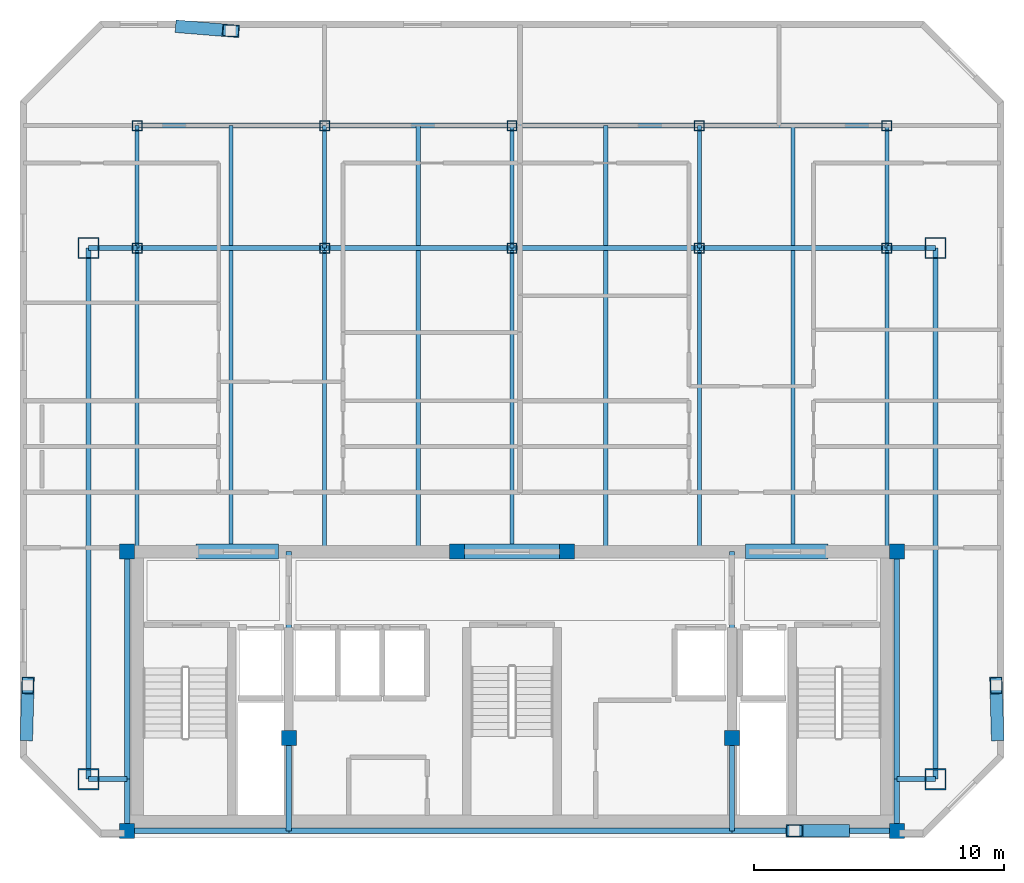
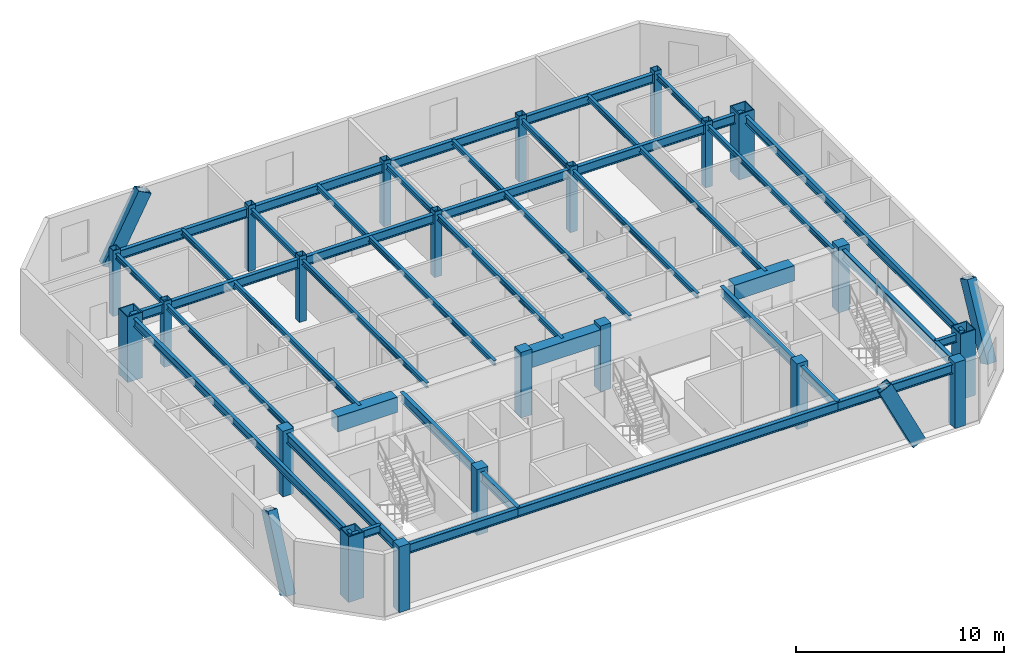
# One storey, part 1 of 7: 46 beams, 22 columns, 4 members.
"""IFC4 building model written with IfcOpenShell, lengths in metres."""

from ifc_helpers import new_model, si_unit, direction, frame, origin, origin_2d, place, context, subcontext, project, spatial, rectangle, hollow_rectangle, i_section, extrude, material, material_profile, profile_set, type_object, element, save


model = new_model("IFC4")

# Units and contexts
model_context = context("Model", 3, precision=1e-05, world=origin(), true_north=direction((0.0, 1.0)))
body_context = subcontext(model_context, "Body", "Model", "MODEL_VIEW")
ifc_project = project(units=[si_unit("LENGTHUNIT", "METRE"), si_unit("AREAUNIT", "SQUARE_METRE"), si_unit("VOLUMEUNIT", "CUBIC_METRE"), si_unit("PLANEANGLEUNIT", "RADIAN"), si_unit("MASSUNIT", "GRAM", prefix="KILO")], contexts=[model_context])

# Site, building, storey
site_placement = place(None, origin())
site = spatial("IfcSite", under=ifc_project, at=site_placement, CompositionType="ELEMENT")
building_placement = place(site_placement, origin())
building = spatial("IfcBuilding", under=site, at=building_placement, Name="Ventersveld Concourse Tower", CompositionType="ELEMENT")
storey_placement = place(building_placement, frame((0.0, 0.0, 320.75)))
storey = spatial("IfcBuildingStorey", under=building, at=storey_placement, Name="L79", CompositionType="ELEMENT", Elevation=320.75)

# Columns
ifc_material_1 = material(Name="Concrete C50/60", Category="concrete")
ifc_material_profile_1 = material_profile(ifc_material_1, rectangle(XDim=0.60009765625, YDim=0.60009765625, at=origin_2d()), Name="RC 600x600")
ifc_profile_set_1 = profile_set([ifc_material_profile_1], Name="Concrete C50/60")
column_type_1 = type_object("IfcColumnType", Name="COL-RC600", PredefinedType="COLUMN", material=ifc_profile_set_1)
for number, where, z_axis, x_axis, name in (
    (1, (13.35009765625, 0.280029296875, 0.0), (0.0, 0.0, 1.0), (1.0, 0.0, 0.0), "L79 Core Spine Column CC-SW"),
    (2, (44.14990234375, 0.280029296875, 0.0), (0.0, 0.0, 1.0), (1.0, 0.0, 0.0), "L79 Core Spine Column CC-SE"),
    (3, (13.35009765625, 11.449951171875, 0.0), (0.0, 0.0, 1.0), (1.0, 0.0, 0.0), "L79 Core Spine Column CC-NW"),
    (4, (44.14990234375, 11.449951171875, 0.0), (0.0, 0.0, 1.0), (1.0, 0.0, 0.0), "L79 Core Spine Column CC-NE"),
    (5, (19.820068359375, 4.0, 0.0), (0.0, 0.0, 1.0), (1.0, 0.0, 0.0), "L79 Core Spine Column CM-1"),
    (6, (37.550048828125, 4.0, 0.0), (0.0, 0.0, 1.0), (1.0, 0.0, 0.0), "L79 Core Spine Column CM-2"),
    (7, (26.550048828125, 11.449951171875, 0.0), (0.0, 0.0, 1.0), (1.0, 0.0, 0.0), "L79 Core Spine Column CM-3"),
    (8, (30.949951171875, 11.449951171875, 0.0), (0.0, 0.0, 1.0), (1.0, 0.0, 0.0), "L79 Core Spine Column CM-4"),
):
    element("IfcColumn", number, at=place(storey_placement, frame(where, z_axis=z_axis, x_axis=x_axis)), inside=storey, type_object=column_type_1, Name=name, PredefinedType="COLUMN", context=body_context, shape_type="SweptSolid", body=[
        extrude(rectangle(XDim=0.60009765625, YDim=0.60009765625, at=origin_2d()), origin(), (0.0, 0.0, 1.0), 3.85009765625),
    ])
ifc_material_2 = material(Name="Structural steel S355J2", Category="steel")
ifc_material_profile_2 = material_profile(ifc_material_2, hollow_rectangle(XDim=0.39990234375, YDim=0.39990234375, WallThickness=0.02001953125, at=origin_2d()), Name="SHS 400x400x20")
ifc_profile_set_2 = profile_set([ifc_material_profile_2], Name="Structural steel S355J2")
column_type_2 = type_object("IfcColumnType", Name="COL-SHS400", PredefinedType="COLUMN", material=ifc_profile_set_2)
for number, where, z_axis, x_axis, name in (
    (9, (13.75, 23.60009765625, 0.0), (0.0, 0.0, 1.0), (1.0, 0.0, 0.0), "L79 Interior Gravity Column X=13.75 Y=23.60"),
    (10, (21.25, 23.60009765625, 0.0), (0.0, 0.0, 1.0), (1.0, 0.0, 0.0), "L79 Interior Gravity Column X=21.25 Y=23.60"),
    (11, (28.75, 23.60009765625, 0.0), (0.0, 0.0, 1.0), (1.0, 0.0, 0.0), "L79 Interior Gravity Column X=28.75 Y=23.60"),
    (12, (36.25, 23.60009765625, 0.0), (0.0, 0.0, 1.0), (1.0, 0.0, 0.0), "L79 Interior Gravity Column X=36.25 Y=23.60"),
    (13, (43.75, 23.60009765625, 0.0), (0.0, 0.0, 1.0), (1.0, 0.0, 0.0), "L79 Interior Gravity Column X=43.75 Y=23.60"),
    (14, (13.75, 28.5, 0.0), (0.0, 0.0, 1.0), (1.0, 0.0, 0.0), "L79 Upper-North Gravity Column X=13.75 Y=28.50"),
    (15, (21.25, 28.5, 0.0), (0.0, 0.0, 1.0), (1.0, 0.0, 0.0), "L79 Upper-North Gravity Column X=21.25 Y=28.50"),
    (16, (28.75, 28.5, 0.0), (0.0, 0.0, 1.0), (1.0, 0.0, 0.0), "L79 Upper-North Gravity Column X=28.75 Y=28.50"),
    (17, (36.25, 28.5, 0.0), (0.0, 0.0, 1.0), (1.0, 0.0, 0.0), "L79 Upper-North Gravity Column X=36.25 Y=28.50"),
    (18, (43.75, 28.5, 0.0), (0.0, 0.0, 1.0), (1.0, 0.0, 0.0), "L79 Upper-North Gravity Column X=43.75 Y=28.50"),
):
    element("IfcColumn", number, at=place(storey_placement, frame(where, z_axis=z_axis, x_axis=x_axis)), inside=storey, type_object=column_type_2, Name=name, PredefinedType="COLUMN", context=body_context, shape_type="SweptSolid", body=[
        extrude(hollow_rectangle(XDim=0.39990234375, YDim=0.39990234375, WallThickness=0.02001953125, at=origin_2d()), origin(), (0.0, 0.0, 1.0), 3.85009765625),
    ])
ifc_material_3 = material(Name="Structural steel S460ML", Category="steel")
ifc_material_profile_3 = material_profile(ifc_material_3, hollow_rectangle(XDim=0.85009765625, YDim=0.85009765625, WallThickness=0.050048828125, at=origin_2d()), Name="BOX 850x850x50")
ifc_profile_set_3 = profile_set([ifc_material_profile_3], Name="Structural steel S460ML")
column_type_3 = type_object("IfcColumnType", Name="MC-850", PredefinedType="USERDEFINED", material=ifc_profile_set_3)
for number, where, z_axis, x_axis, name in (
    (19, (11.800048828125, 2.35009765625, 0.0), (0.0, 0.0, 1.0), (1.0, 0.0, 0.0), "L79 Corner Mega-Column MC-SW"),
    (20, (45.699951171875, 2.35009765625, 0.0), (0.0, 0.0, 1.0), (1.0, 0.0, 0.0), "L79 Corner Mega-Column MC-SE"),
    (21, (45.699951171875, 23.60009765625, 0.0), (0.0, 0.0, 1.0), (1.0, 0.0, 0.0), "L79 Corner Mega-Column MC-NE"),
    (22, (11.800048828125, 23.60009765625, 0.0), (0.0, 0.0, 1.0), (1.0, 0.0, 0.0), "L79 Corner Mega-Column MC-NW"),
):
    element("IfcColumn", number, at=place(storey_placement, frame(where, z_axis=z_axis, x_axis=x_axis)), inside=storey, type_object=column_type_3, Name=name, ObjectType="MEGA_COLUMN", PredefinedType="USERDEFINED", context=body_context, shape_type="SweptSolid", body=[
        extrude(hollow_rectangle(XDim=0.85009765625, YDim=0.85009765625, WallThickness=0.050048828125, at=origin_2d()), origin(), (0.0, 0.0, 1.0), 3.85009765625),
    ])

# Beams
ifc_material_profile_4 = material_profile(ifc_material_2, i_section(OverallWidth=0.1650390625, OverallDepth=0.303466796875, WebThickness=0.006103515625, FlangeThickness=0.01025390625, FilletRadius=0.0087890625, at=origin_2d()), Name="UB 305x165x40")
ifc_profile_set_4 = profile_set([ifc_material_profile_4], Name="Structural steel S355J2")
beam_type_1 = type_object("IfcBeamType", Name="BM-UB305", PredefinedType="BEAM", material=ifc_profile_set_4)
beam_1_placement = place(storey_placement, frame((13.75, 11.449951171875, 3.498291015625), z_axis=(0.0, 1.0, 0.0), x_axis=(-1.0, 0.0, 0.0)))
element("IfcBeam", 23, at=beam_1_placement, inside=storey, type_object=beam_type_1, Name="L79 N-S Composite Floor Beam South X=13.75", PredefinedType="BEAM", context=body_context, shape_type="SweptSolid", body=[
    extrude(i_section(OverallWidth=0.1650390625, OverallDepth=0.303466796875, WebThickness=0.006103515625, FlangeThickness=0.01025390625, FilletRadius=0.0087890625, at=origin_2d()), origin(), (0.0, 0.0, 1.0), 12.150146484375),
])
beam_2_placement = place(storey_placement, frame((13.75, 23.60009765625, 3.498291015625), z_axis=(0.0, 1.0, 0.0), x_axis=(-1.0, 0.0, 0.0)))
element("IfcBeam", 24, at=beam_2_placement, inside=storey, type_object=beam_type_1, Name="L79 N-S Upper-Zone Floor Beam X=13.75", PredefinedType="BEAM", context=body_context, shape_type="SweptSolid", body=[
    extrude(i_section(OverallWidth=0.1650390625, OverallDepth=0.303466796875, WebThickness=0.006103515625, FlangeThickness=0.01025390625, FilletRadius=0.0087890625, at=origin_2d()), origin(), (0.0, 0.0, 1.0), 4.89990234375),
])
beam_3_placement = place(storey_placement, frame((17.5, 11.449951171875, 3.498291015625), z_axis=(0.0, 1.0, 0.0), x_axis=(-1.0, 0.0, 0.0)))
element("IfcBeam", 25, at=beam_3_placement, inside=storey, type_object=beam_type_1, Name="L79 N-S Composite Floor Beam South X=17.50", PredefinedType="BEAM", context=body_context, shape_type="SweptSolid", body=[
    extrude(i_section(OverallWidth=0.1650390625, OverallDepth=0.303466796875, WebThickness=0.006103515625, FlangeThickness=0.01025390625, FilletRadius=0.0087890625, at=origin_2d()), origin(), (0.0, 0.0, 1.0), 12.054931640625),
])
beam_4_placement = place(storey_placement, frame((17.5, 23.695068359375, 3.498291015625), z_axis=(0.0, 1.0, 0.0), x_axis=(-1.0, 0.0, 0.0)))
element("IfcBeam", 26, at=beam_4_placement, inside=storey, type_object=beam_type_1, Name="L79 N-S Upper-Zone Floor Beam X=17.50", PredefinedType="BEAM", context=body_context, shape_type="SweptSolid", body=[
    extrude(i_section(OverallWidth=0.1650390625, OverallDepth=0.303466796875, WebThickness=0.006103515625, FlangeThickness=0.01025390625, FilletRadius=0.0087890625, at=origin_2d()), origin(), (0.0, 0.0, 1.0), 4.804931640625),
])
beam_5_placement = place(storey_placement, frame((21.25, 11.449951171875, 3.498291015625), z_axis=(0.0, 1.0, 0.0), x_axis=(-1.0, 0.0, 0.0)))
element("IfcBeam", 27, at=beam_5_placement, inside=storey, type_object=beam_type_1, Name="L79 N-S Composite Floor Beam South X=21.25", PredefinedType="BEAM", context=body_context, shape_type="SweptSolid", body=[
    extrude(i_section(OverallWidth=0.1650390625, OverallDepth=0.303466796875, WebThickness=0.006103515625, FlangeThickness=0.01025390625, FilletRadius=0.0087890625, at=origin_2d()), origin(), (0.0, 0.0, 1.0), 12.150146484375),
])
beam_6_placement = place(storey_placement, frame((21.25, 23.60009765625, 3.498291015625), z_axis=(0.0, 1.0, 0.0), x_axis=(-1.0, 0.0, 0.0)))
element("IfcBeam", 28, at=beam_6_placement, inside=storey, type_object=beam_type_1, Name="L79 N-S Upper-Zone Floor Beam X=21.25", PredefinedType="BEAM", context=body_context, shape_type="SweptSolid", body=[
    extrude(i_section(OverallWidth=0.1650390625, OverallDepth=0.303466796875, WebThickness=0.006103515625, FlangeThickness=0.01025390625, FilletRadius=0.0087890625, at=origin_2d()), origin(), (0.0, 0.0, 1.0), 4.89990234375),
])
beam_7_placement = place(storey_placement, frame((25.0, 11.449951171875, 3.498291015625), z_axis=(0.0, 1.0, 0.0), x_axis=(-1.0, 0.0, 0.0)))
element("IfcBeam", 29, at=beam_7_placement, inside=storey, type_object=beam_type_1, Name="L79 N-S Composite Floor Beam South X=25.00", PredefinedType="BEAM", context=body_context, shape_type="SweptSolid", body=[
    extrude(i_section(OverallWidth=0.1650390625, OverallDepth=0.303466796875, WebThickness=0.006103515625, FlangeThickness=0.01025390625, FilletRadius=0.0087890625, at=origin_2d()), origin(), (0.0, 0.0, 1.0), 12.054931640625),
])
beam_8_placement = place(storey_placement, frame((25.0, 23.695068359375, 3.498291015625), z_axis=(0.0, 1.0, 0.0), x_axis=(-1.0, 0.0, 0.0)))
element("IfcBeam", 30, at=beam_8_placement, inside=storey, type_object=beam_type_1, Name="L79 N-S Upper-Zone Floor Beam X=25.00", PredefinedType="BEAM", context=body_context, shape_type="SweptSolid", body=[
    extrude(i_section(OverallWidth=0.1650390625, OverallDepth=0.303466796875, WebThickness=0.006103515625, FlangeThickness=0.01025390625, FilletRadius=0.0087890625, at=origin_2d()), origin(), (0.0, 0.0, 1.0), 4.804931640625),
])
beam_9_placement = place(storey_placement, frame((28.75, 11.449951171875, 3.498291015625), z_axis=(0.0, 1.0, 0.0), x_axis=(-1.0, 0.0, 0.0)))
element("IfcBeam", 31, at=beam_9_placement, inside=storey, type_object=beam_type_1, Name="L79 N-S Composite Floor Beam South X=28.75", PredefinedType="BEAM", context=body_context, shape_type="SweptSolid", body=[
    extrude(i_section(OverallWidth=0.1650390625, OverallDepth=0.303466796875, WebThickness=0.006103515625, FlangeThickness=0.01025390625, FilletRadius=0.0087890625, at=origin_2d()), origin(), (0.0, 0.0, 1.0), 12.150146484375),
])
beam_10_placement = place(storey_placement, frame((28.75, 23.60009765625, 3.498291015625), z_axis=(0.0, 1.0, 0.0), x_axis=(-1.0, 0.0, 0.0)))
element("IfcBeam", 32, at=beam_10_placement, inside=storey, type_object=beam_type_1, Name="L79 N-S Upper-Zone Floor Beam X=28.75", PredefinedType="BEAM", context=body_context, shape_type="SweptSolid", body=[
    extrude(i_section(OverallWidth=0.1650390625, OverallDepth=0.303466796875, WebThickness=0.006103515625, FlangeThickness=0.01025390625, FilletRadius=0.0087890625, at=origin_2d()), origin(), (0.0, 0.0, 1.0), 4.89990234375),
])
beam_11_placement = place(storey_placement, frame((32.5, 11.449951171875, 3.498291015625), z_axis=(0.0, 1.0, 0.0), x_axis=(-1.0, 0.0, 0.0)))
element("IfcBeam", 33, at=beam_11_placement, inside=storey, type_object=beam_type_1, Name="L79 N-S Composite Floor Beam South X=32.50", PredefinedType="BEAM", context=body_context, shape_type="SweptSolid", body=[
    extrude(i_section(OverallWidth=0.1650390625, OverallDepth=0.303466796875, WebThickness=0.006103515625, FlangeThickness=0.01025390625, FilletRadius=0.0087890625, at=origin_2d()), origin(), (0.0, 0.0, 1.0), 12.054931640625),
])
beam_12_placement = place(storey_placement, frame((32.5, 23.695068359375, 3.498291015625), z_axis=(0.0, 1.0, 0.0), x_axis=(-1.0, 0.0, 0.0)))
element("IfcBeam", 34, at=beam_12_placement, inside=storey, type_object=beam_type_1, Name="L79 N-S Upper-Zone Floor Beam X=32.50", PredefinedType="BEAM", context=body_context, shape_type="SweptSolid", body=[
    extrude(i_section(OverallWidth=0.1650390625, OverallDepth=0.303466796875, WebThickness=0.006103515625, FlangeThickness=0.01025390625, FilletRadius=0.0087890625, at=origin_2d()), origin(), (0.0, 0.0, 1.0), 4.804931640625),
])
beam_13_placement = place(storey_placement, frame((36.25, 11.449951171875, 3.498291015625), z_axis=(0.0, 1.0, 0.0), x_axis=(-1.0, 0.0, 0.0)))
element("IfcBeam", 35, at=beam_13_placement, inside=storey, type_object=beam_type_1, Name="L79 N-S Composite Floor Beam South X=36.25", PredefinedType="BEAM", context=body_context, shape_type="SweptSolid", body=[
    extrude(i_section(OverallWidth=0.1650390625, OverallDepth=0.303466796875, WebThickness=0.006103515625, FlangeThickness=0.01025390625, FilletRadius=0.0087890625, at=origin_2d()), origin(), (0.0, 0.0, 1.0), 12.150146484375),
])
beam_14_placement = place(storey_placement, frame((36.25, 23.60009765625, 3.498291015625), z_axis=(0.0, 1.0, 0.0), x_axis=(-1.0, 0.0, 0.0)))
element("IfcBeam", 36, at=beam_14_placement, inside=storey, type_object=beam_type_1, Name="L79 N-S Upper-Zone Floor Beam X=36.25", PredefinedType="BEAM", context=body_context, shape_type="SweptSolid", body=[
    extrude(i_section(OverallWidth=0.1650390625, OverallDepth=0.303466796875, WebThickness=0.006103515625, FlangeThickness=0.01025390625, FilletRadius=0.0087890625, at=origin_2d()), origin(), (0.0, 0.0, 1.0), 4.89990234375),
])
beam_15_placement = place(storey_placement, frame((40.0, 11.449951171875, 3.498291015625), z_axis=(0.0, 1.0, 0.0), x_axis=(-1.0, 0.0, 0.0)))
element("IfcBeam", 37, at=beam_15_placement, inside=storey, type_object=beam_type_1, Name="L79 N-S Composite Floor Beam South X=40.00", PredefinedType="BEAM", context=body_context, shape_type="SweptSolid", body=[
    extrude(i_section(OverallWidth=0.1650390625, OverallDepth=0.303466796875, WebThickness=0.006103515625, FlangeThickness=0.01025390625, FilletRadius=0.0087890625, at=origin_2d()), origin(), (0.0, 0.0, 1.0), 12.054931640625),
])
beam_16_placement = place(storey_placement, frame((40.0, 23.695068359375, 3.498291015625), z_axis=(0.0, 1.0, 0.0), x_axis=(-1.0, 0.0, 0.0)))
element("IfcBeam", 38, at=beam_16_placement, inside=storey, type_object=beam_type_1, Name="L79 N-S Upper-Zone Floor Beam X=40.00", PredefinedType="BEAM", context=body_context, shape_type="SweptSolid", body=[
    extrude(i_section(OverallWidth=0.1650390625, OverallDepth=0.303466796875, WebThickness=0.006103515625, FlangeThickness=0.01025390625, FilletRadius=0.0087890625, at=origin_2d()), origin(), (0.0, 0.0, 1.0), 4.804931640625),
])
beam_17_placement = place(storey_placement, frame((43.75, 11.449951171875, 3.498291015625), z_axis=(0.0, 1.0, 0.0), x_axis=(-1.0, 0.0, 0.0)))
element("IfcBeam", 39, at=beam_17_placement, inside=storey, type_object=beam_type_1, Name="L79 N-S Composite Floor Beam South X=43.75", PredefinedType="BEAM", context=body_context, shape_type="SweptSolid", body=[
    extrude(i_section(OverallWidth=0.1650390625, OverallDepth=0.303466796875, WebThickness=0.006103515625, FlangeThickness=0.01025390625, FilletRadius=0.0087890625, at=origin_2d()), origin(), (0.0, 0.0, 1.0), 12.150146484375),
])
beam_18_placement = place(storey_placement, frame((43.75, 23.60009765625, 3.498291015625), z_axis=(0.0, 1.0, 0.0), x_axis=(-1.0, 0.0, 0.0)))
element("IfcBeam", 40, at=beam_18_placement, inside=storey, type_object=beam_type_1, Name="L79 N-S Upper-Zone Floor Beam X=43.75", PredefinedType="BEAM", context=body_context, shape_type="SweptSolid", body=[
    extrude(i_section(OverallWidth=0.1650390625, OverallDepth=0.303466796875, WebThickness=0.006103515625, FlangeThickness=0.01025390625, FilletRadius=0.0087890625, at=origin_2d()), origin(), (0.0, 0.0, 1.0), 4.89990234375),
])
ifc_material_profile_5 = material_profile(ifc_material_1, rectangle(XDim=0.60009765625, YDim=0.89990234375, at=origin_2d()), Name="RC 600x900")
ifc_profile_set_5 = profile_set([ifc_material_profile_5], Name="Concrete C50/60")
beam_type_2 = type_object("IfcBeamType", Name="CB-RC600x900U", PredefinedType="LINTEL", material=ifc_profile_set_5)
beam_19_placement = place(storey_placement, frame((16.10009765625, 11.449951171875, 3.199951171875), z_axis=(1.0, 0.0, 0.0), x_axis=(0.0, 1.0, 0.0)))
element("IfcBeam", 41, at=beam_19_placement, inside=storey, type_object=beam_type_2, Name="L79 Core Coupling Lintel Beam 1", PredefinedType="LINTEL", context=body_context, shape_type="SweptSolid", body=[
    extrude(rectangle(XDim=0.60009765625, YDim=0.89990234375, at=origin_2d()), origin(), (0.0, 0.0, 1.0), 3.2998046875),
])
beam_20_placement = place(storey_placement, frame((26.5, 11.449951171875, 3.199951171875), z_axis=(1.0, 0.0, 0.0), x_axis=(0.0, 1.0, 0.0)))
element("IfcBeam", 42, at=beam_20_placement, inside=storey, type_object=beam_type_2, Name="L79 Core Coupling Lintel Beam 2", PredefinedType="LINTEL", context=body_context, shape_type="SweptSolid", body=[
    extrude(rectangle(XDim=0.60009765625, YDim=0.89990234375, at=origin_2d()), origin(), (0.0, 0.0, 1.0), 4.5),
])
beam_21_placement = place(storey_placement, frame((38.10009765625, 11.449951171875, 3.199951171875), z_axis=(1.0, 0.0, 0.0), x_axis=(0.0, 1.0, 0.0)))
element("IfcBeam", 43, at=beam_21_placement, inside=storey, type_object=beam_type_2, Name="L79 Core Coupling Lintel Beam 3", PredefinedType="LINTEL", context=body_context, shape_type="SweptSolid", body=[
    extrude(rectangle(XDim=0.60009765625, YDim=0.89990234375, at=origin_2d()), origin(), (0.0, 0.0, 1.0), 3.2998046875),
])
ifc_material_profile_6 = material_profile(ifc_material_2, i_section(OverallWidth=0.209228515625, OverallDepth=0.533203125, WebThickness=0.010009765625, FlangeThickness=0.015625, FilletRadius=0.0126953125, at=origin_2d()), Name="UB 533x210x92")
ifc_profile_set_6 = profile_set([ifc_material_profile_6], Name="Structural steel S355J2")
beam_type_3 = type_object("IfcBeamType", Name="GRD-UB533", PredefinedType="T_BEAM", material=ifc_profile_set_6)
beam_22_placement = place(storey_placement, frame((11.800048828125, 23.60009765625, 3.38330078125), z_axis=(1.0, 0.0, 0.0), x_axis=(0.0, 1.0, 0.0)))
element("IfcBeam", 44, at=beam_22_placement, inside=storey, type_object=beam_type_3, Name="L79 Primary E-W Grid Girder Y=23.60 #1", PredefinedType="T_BEAM", context=body_context, shape_type="SweptSolid", body=[
    extrude(i_section(OverallWidth=0.209228515625, OverallDepth=0.533203125, WebThickness=0.010009765625, FlangeThickness=0.015625, FilletRadius=0.0126953125, at=origin_2d()), origin(), (0.0, 0.0, 1.0), 1.949951171875),
])
for number, where, z_axis, x_axis, name in (
    (45, (13.75, 23.60009765625, 3.38330078125), (1.0, 0.0, 0.0), (0.0, 1.0, 0.0), "L79 Primary E-W Grid Girder Y=23.60 #2"),
    (46, (21.25, 23.60009765625, 3.38330078125), (1.0, 0.0, 0.0), (0.0, 1.0, 0.0), "L79 Primary E-W Grid Girder Y=23.60 #3"),
    (47, (28.75, 23.60009765625, 3.38330078125), (1.0, 0.0, 0.0), (0.0, 1.0, 0.0), "L79 Primary E-W Grid Girder Y=23.60 #4"),
    (48, (36.25, 23.60009765625, 3.38330078125), (1.0, 0.0, 0.0), (0.0, 1.0, 0.0), "L79 Primary E-W Grid Girder Y=23.60 #5"),
):
    element("IfcBeam", number, at=place(storey_placement, frame(where, z_axis=z_axis, x_axis=x_axis)), inside=storey, type_object=beam_type_3, Name=name, PredefinedType="T_BEAM", context=body_context, shape_type="SweptSolid", body=[
        extrude(i_section(OverallWidth=0.209228515625, OverallDepth=0.533203125, WebThickness=0.010009765625, FlangeThickness=0.015625, FilletRadius=0.0126953125, at=origin_2d()), origin(), (0.0, 0.0, 1.0), 7.5),
    ])
beam_23_placement = place(storey_placement, frame((43.75, 23.60009765625, 3.38330078125), z_axis=(1.0, 0.0, 0.0), x_axis=(0.0, 1.0, 0.0)))
element("IfcBeam", 49, at=beam_23_placement, inside=storey, type_object=beam_type_3, Name="L79 Primary E-W Grid Girder Y=23.60 #6", PredefinedType="T_BEAM", context=body_context, shape_type="SweptSolid", body=[
    extrude(i_section(OverallWidth=0.209228515625, OverallDepth=0.533203125, WebThickness=0.010009765625, FlangeThickness=0.015625, FilletRadius=0.0126953125, at=origin_2d()), origin(), (0.0, 0.0, 1.0), 1.949951171875),
])
for number, where, z_axis, x_axis, name in (
    (50, (13.75, 28.5, 3.38330078125), (1.0, 0.0, 0.0), (0.0, 1.0, 0.0), "L79 Upper-North E-W Girder Y=28.50 #1"),
    (51, (21.25, 28.5, 3.38330078125), (1.0, 0.0, 0.0), (0.0, 1.0, 0.0), "L79 Upper-North E-W Girder Y=28.50 #2"),
    (52, (28.75, 28.5, 3.38330078125), (1.0, 0.0, 0.0), (0.0, 1.0, 0.0), "L79 Upper-North E-W Girder Y=28.50 #3"),
    (53, (36.25, 28.5, 3.38330078125), (1.0, 0.0, 0.0), (0.0, 1.0, 0.0), "L79 Upper-North E-W Girder Y=28.50 #4"),
):
    element("IfcBeam", number, at=place(storey_placement, frame(where, z_axis=z_axis, x_axis=x_axis)), inside=storey, type_object=beam_type_3, Name=name, PredefinedType="T_BEAM", context=body_context, shape_type="SweptSolid", body=[
        extrude(i_section(OverallWidth=0.209228515625, OverallDepth=0.533203125, WebThickness=0.010009765625, FlangeThickness=0.015625, FilletRadius=0.0126953125, at=origin_2d()), origin(), (0.0, 0.0, 1.0), 7.5),
    ])
ifc_material_profile_7 = material_profile(ifc_material_2, i_section(OverallWidth=0.2119140625, OverallDepth=0.54443359375, WebThickness=0.0126953125, FlangeThickness=0.021240234375, FilletRadius=0.0126953125, at=origin_2d()), Name="UB 533x210x122")
ifc_profile_set_7 = profile_set([ifc_material_profile_7], Name="Structural steel S355J2")
beam_type_4 = type_object("IfcBeamType", Name="GRD-UB533H", PredefinedType="T_BEAM", material=ifc_profile_set_7)
beam_24_placement = place(storey_placement, frame((13.35009765625, 0.280029296875, 3.377685546875), z_axis=(0.0, 1.0, 0.0), x_axis=(-1.0, 0.0, 0.0)))
element("IfcBeam", 54, at=beam_24_placement, inside=storey, type_object=beam_type_4, Name="L79 Core West Tie Beam S", PredefinedType="T_BEAM", context=body_context, shape_type="SweptSolid", body=[
    extrude(i_section(OverallWidth=0.2119140625, OverallDepth=0.54443359375, WebThickness=0.0126953125, FlangeThickness=0.021240234375, FilletRadius=0.0126953125, at=origin_2d()), origin(), (0.0, 0.0, 1.0), 2.070068359375),
])
beam_25_placement = place(storey_placement, frame((13.35009765625, 2.35009765625, 3.377685546875), z_axis=(0.0, 1.0, 0.0), x_axis=(-1.0, 0.0, 0.0)))
element("IfcBeam", 55, at=beam_25_placement, inside=storey, type_object=beam_type_4, Name="L79 Core West Tie Beam N", PredefinedType="T_BEAM", context=body_context, shape_type="SweptSolid", body=[
    extrude(i_section(OverallWidth=0.2119140625, OverallDepth=0.54443359375, WebThickness=0.0126953125, FlangeThickness=0.021240234375, FilletRadius=0.0126953125, at=origin_2d()), origin(), (0.0, 0.0, 1.0), 9.099853515625),
])
beam_26_placement = place(storey_placement, frame((44.14990234375, 0.280029296875, 3.377685546875), z_axis=(0.0, 1.0, 0.0), x_axis=(-1.0, 0.0, 0.0)))
element("IfcBeam", 56, at=beam_26_placement, inside=storey, type_object=beam_type_4, Name="L79 Core East Tie Beam S", PredefinedType="T_BEAM", context=body_context, shape_type="SweptSolid", body=[
    extrude(i_section(OverallWidth=0.2119140625, OverallDepth=0.54443359375, WebThickness=0.0126953125, FlangeThickness=0.021240234375, FilletRadius=0.0126953125, at=origin_2d()), origin(), (0.0, 0.0, 1.0), 2.070068359375),
])
beam_27_placement = place(storey_placement, frame((44.14990234375, 2.35009765625, 3.377685546875), z_axis=(0.0, 1.0, 0.0), x_axis=(-1.0, 0.0, 0.0)))
element("IfcBeam", 57, at=beam_27_placement, inside=storey, type_object=beam_type_4, Name="L79 Core East Tie Beam N", PredefinedType="T_BEAM", context=body_context, shape_type="SweptSolid", body=[
    extrude(i_section(OverallWidth=0.2119140625, OverallDepth=0.54443359375, WebThickness=0.0126953125, FlangeThickness=0.021240234375, FilletRadius=0.0126953125, at=origin_2d()), origin(), (0.0, 0.0, 1.0), 9.099853515625),
])
beam_28_placement = place(storey_placement, frame((13.35009765625, 0.280029296875, 3.377685546875), z_axis=(1.0, 0.0, 0.0), x_axis=(0.0, 1.0, 0.0)))
element("IfcBeam", 58, at=beam_28_placement, inside=storey, type_object=beam_type_4, Name="L79 Core South Tie Beam W", PredefinedType="T_BEAM", context=body_context, shape_type="SweptSolid", body=[
    extrude(i_section(OverallWidth=0.2119140625, OverallDepth=0.54443359375, WebThickness=0.0126953125, FlangeThickness=0.021240234375, FilletRadius=0.0126953125, at=origin_2d()), origin(), (0.0, 0.0, 1.0), 6.469970703125),
])
beam_29_placement = place(storey_placement, frame((19.820068359375, 0.280029296875, 3.377685546875), z_axis=(1.0, 0.0, 0.0), x_axis=(0.0, 1.0, 0.0)))
element("IfcBeam", 59, at=beam_29_placement, inside=storey, type_object=beam_type_4, Name="L79 Core South Tie Beam C", PredefinedType="T_BEAM", context=body_context, shape_type="SweptSolid", body=[
    extrude(i_section(OverallWidth=0.2119140625, OverallDepth=0.54443359375, WebThickness=0.0126953125, FlangeThickness=0.021240234375, FilletRadius=0.0126953125, at=origin_2d()), origin(), (0.0, 0.0, 1.0), 17.72998046875),
])
beam_30_placement = place(storey_placement, frame((37.550048828125, 0.280029296875, 3.377685546875), z_axis=(1.0, 0.0, 0.0), x_axis=(0.0, 1.0, 0.0)))
element("IfcBeam", 60, at=beam_30_placement, inside=storey, type_object=beam_type_4, Name="L79 Core South Tie Beam E", PredefinedType="T_BEAM", context=body_context, shape_type="SweptSolid", body=[
    extrude(i_section(OverallWidth=0.2119140625, OverallDepth=0.54443359375, WebThickness=0.0126953125, FlangeThickness=0.021240234375, FilletRadius=0.0126953125, at=origin_2d()), origin(), (0.0, 0.0, 1.0), 6.599853515625),
])
beam_31_placement = place(storey_placement, frame((19.820068359375, 0.280029296875, 3.377685546875), z_axis=(0.0, 1.0, 0.0), x_axis=(-1.0, 0.0, 0.0)))
element("IfcBeam", 61, at=beam_31_placement, inside=storey, type_object=beam_type_4, Name="L79 Core Spine N-S Tie Beam W1", PredefinedType="T_BEAM", context=body_context, shape_type="SweptSolid", body=[
    extrude(i_section(OverallWidth=0.2119140625, OverallDepth=0.54443359375, WebThickness=0.0126953125, FlangeThickness=0.021240234375, FilletRadius=0.0126953125, at=origin_2d()), origin(), (0.0, 0.0, 1.0), 3.719970703125),
])
beam_32_placement = place(storey_placement, frame((19.820068359375, 4.0, 3.377685546875), z_axis=(0.0, 1.0, 0.0), x_axis=(-1.0, 0.0, 0.0)))
element("IfcBeam", 62, at=beam_32_placement, inside=storey, type_object=beam_type_4, Name="L79 Core Spine N-S Tie Beam W2", PredefinedType="T_BEAM", context=body_context, shape_type="SweptSolid", body=[
    extrude(i_section(OverallWidth=0.2119140625, OverallDepth=0.54443359375, WebThickness=0.0126953125, FlangeThickness=0.021240234375, FilletRadius=0.0126953125, at=origin_2d()), origin(), (0.0, 0.0, 1.0), 7.449951171875),
])
beam_33_placement = place(storey_placement, frame((37.550048828125, 0.280029296875, 3.377685546875), z_axis=(0.0, 1.0, 0.0), x_axis=(-1.0, 0.0, 0.0)))
element("IfcBeam", 63, at=beam_33_placement, inside=storey, type_object=beam_type_4, Name="L79 Core Spine N-S Tie Beam E1", PredefinedType="T_BEAM", context=body_context, shape_type="SweptSolid", body=[
    extrude(i_section(OverallWidth=0.2119140625, OverallDepth=0.54443359375, WebThickness=0.0126953125, FlangeThickness=0.021240234375, FilletRadius=0.0126953125, at=origin_2d()), origin(), (0.0, 0.0, 1.0), 3.719970703125),
])
beam_34_placement = place(storey_placement, frame((37.550048828125, 4.0, 3.377685546875), z_axis=(0.0, 1.0, 0.0), x_axis=(-1.0, 0.0, 0.0)))
element("IfcBeam", 64, at=beam_34_placement, inside=storey, type_object=beam_type_4, Name="L79 Core Spine N-S Tie Beam E2", PredefinedType="T_BEAM", context=body_context, shape_type="SweptSolid", body=[
    extrude(i_section(OverallWidth=0.2119140625, OverallDepth=0.54443359375, WebThickness=0.0126953125, FlangeThickness=0.021240234375, FilletRadius=0.0126953125, at=origin_2d()), origin(), (0.0, 0.0, 1.0), 7.449951171875),
])

# Members
ifc_material_4 = material(Name="Structural steel S355ML", Category="steel")
ifc_material_profile_8 = material_profile(ifc_material_4, hollow_rectangle(XDim=0.5, YDim=0.75, WallThickness=0.034912109375, at=origin_2d()), Name="BOX 750x500x35")
ifc_profile_set_8 = profile_set([ifc_material_profile_8], Name="Structural steel S355ML")
member_type = type_object("IfcMemberType", Name="MB-750x500", PredefinedType="BRACE", material=ifc_profile_set_8)
member_1_placement = place(storey_placement, frame((15.625, 32.44775390625, -0.199951171875), z_axis=(0.437577938052, -0.036009017819, 0.898459180356), x_axis=(0.082014437678, 0.996631141402, 0.0)))
element("IfcMember", 65, at=member_1_placement, inside=storey, type_object=member_type, Name="L79 Exterior Mega-Brace N (Module M19)", PredefinedType="BRACE", context=body_context, shape_type="SweptSolid", body=[
    extrude(hollow_rectangle(XDim=0.5, YDim=0.75, WallThickness=0.034912109375, at=origin_2d()), origin(), (0.0, 0.0, 1.0), 4.284912109375),
])
member_2_placement = place(storey_placement, frame((41.925048828125, 0.280029296875, -0.199951171875), z_axis=(-0.437861906815, 0.0, 0.899042240699), x_axis=(0.0, -1.0, 0.0)))
element("IfcMember", 66, at=member_2_placement, inside=storey, type_object=member_type, Name="L79 Exterior Mega-Brace S (Module M19)", PredefinedType="BRACE", context=body_context, shape_type="SweptSolid", body=[
    extrude(hollow_rectangle(XDim=0.5, YDim=0.75, WallThickness=0.034912109375, at=origin_2d()), origin(), (0.0, 0.0, 1.0), 4.2822265625),
])
for number, where, z_axis, x_axis, name in (
    (67, (9.326416015625, 4.22509765625, -0.199951171875), (0.012427932787, 0.437828090854, 0.898972807901), (-0.999597377348, 0.028373988055, 0.0), "L79 Exterior Mega-Brace W (Module M19)"),
    (68, (48.173583984375, 4.22509765625, -0.199951171875), (-0.012427932787, 0.437828090854, 0.898972807901), (-0.999597377348, -0.028373988055, 0.0), "L79 Exterior Mega-Brace E (Module M19)"),
):
    element("IfcMember", number, at=place(storey_placement, frame(where, z_axis=z_axis, x_axis=x_axis)), inside=storey, type_object=member_type, Name=name, PredefinedType="BRACE", context=body_context, shape_type="SweptSolid", body=[
        extrude(hollow_rectangle(XDim=0.5, YDim=0.75, WallThickness=0.034912109375, at=origin_2d()), origin(), (0.0, 0.0, 1.0), 4.282470703125),
    ])

# Beams
ifc_material_profile_9 = material_profile(ifc_material_2, i_section(OverallWidth=0.19140625, OverallDepth=0.4599609375, WebThickness=0.010009765625, FlangeThickness=0.01611328125, FilletRadius=0.01025390625, at=origin_2d()), Name="UB 457x191x82")
ifc_profile_set_9 = profile_set([ifc_material_profile_9], Name="Structural steel S355J2")
beam_type_5 = type_object("IfcBeamType", Name="SPD-UB457", PredefinedType="SPANDREL", material=ifc_profile_set_9)
for number, where, z_axis, x_axis, name in (
    (69, (11.800048828125, 2.35009765625, 3.419921875), (1.0, 0.0, 0.0), (0.0, 1.0, 0.0), "L79 SW Spandrel Beam"),
    (70, (44.14990234375, 2.35009765625, 3.419921875), (1.0, 0.0, 0.0), (0.0, 1.0, 0.0), "L79 SE Spandrel Beam"),
):
    element("IfcBeam", number, at=place(storey_placement, frame(where, z_axis=z_axis, x_axis=x_axis)), inside=storey, type_object=beam_type_5, Name=name, PredefinedType="SPANDREL", context=body_context, shape_type="SweptSolid", body=[
        extrude(i_section(OverallWidth=0.19140625, OverallDepth=0.4599609375, WebThickness=0.010009765625, FlangeThickness=0.01611328125, FilletRadius=0.01025390625, at=origin_2d()), origin(), (0.0, 0.0, 1.0), 1.550048828125),
    ])
for number, where, z_axis, x_axis, name in (
    (71, (11.800048828125, 2.35009765625, 3.419921875), (0.0, 1.0, 0.0), (-1.0, 0.0, 0.0), "L79 West Spandrel Beam"),
    (72, (45.699951171875, 2.35009765625, 3.419921875), (0.0, 1.0, 0.0), (-1.0, 0.0, 0.0), "L79 East Spandrel Beam"),
):
    element("IfcBeam", number, at=place(storey_placement, frame(where, z_axis=z_axis, x_axis=x_axis)), inside=storey, type_object=beam_type_5, Name=name, PredefinedType="SPANDREL", context=body_context, shape_type="SweptSolid", body=[
        extrude(i_section(OverallWidth=0.19140625, OverallDepth=0.4599609375, WebThickness=0.010009765625, FlangeThickness=0.01611328125, FilletRadius=0.01025390625, at=origin_2d()), origin(), (0.0, 0.0, 1.0), 21.25),
    ])

save(model, "model.ifc")
